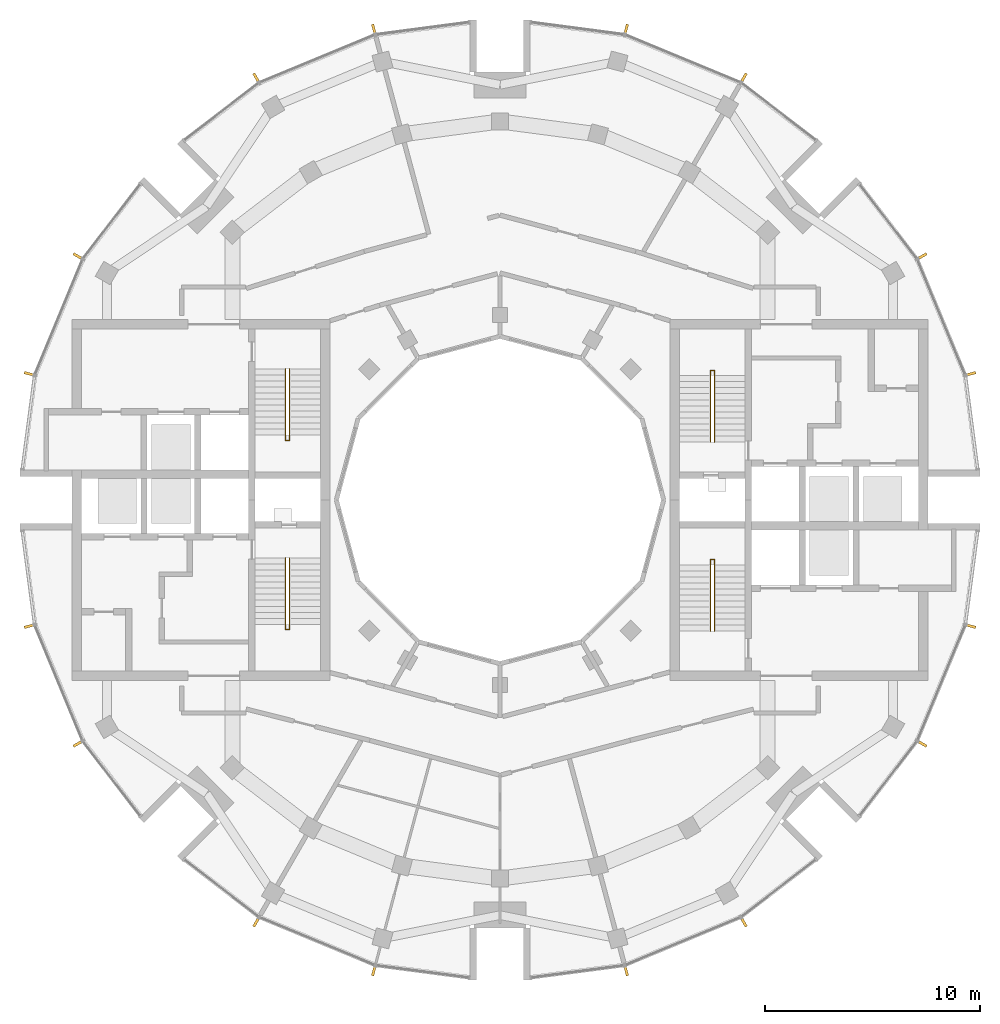
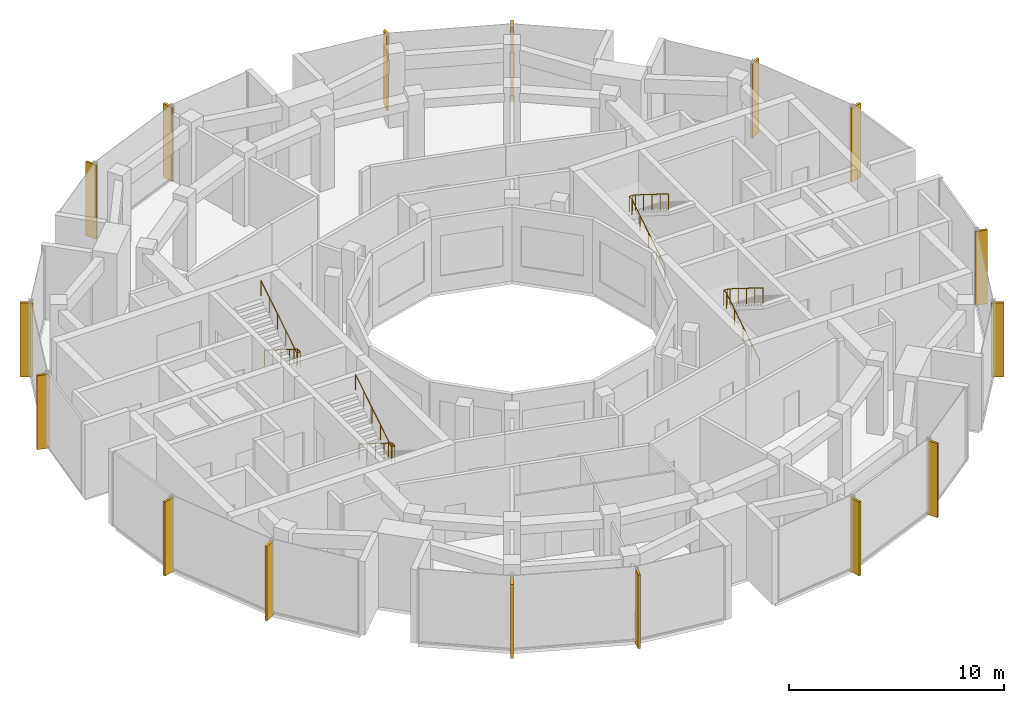
# One storey, part 12 of 13: 16 shading devices, 4 railings.
"""IFC4 building model written with IfcOpenShell, lengths in metres."""

from ifc_helpers import new_model, si_unit, direction, frame, origin, origin_2d, place, context, subcontext, project, spatial, rectangle, circle, extrude, material, material_profile, profile_set, type_object, element, save


model = new_model("IFC4")

# Units and contexts
model_context = context("Model", 3, precision=1e-05, world=origin(), true_north=direction((0.0, 1.0)))
body_context = subcontext(model_context, "Body", "Model", "MODEL_VIEW")
ifc_project = project(units=[si_unit("LENGTHUNIT", "METRE"), si_unit("AREAUNIT", "SQUARE_METRE"), si_unit("VOLUMEUNIT", "CUBIC_METRE"), si_unit("PLANEANGLEUNIT", "RADIAN"), si_unit("MASSUNIT", "GRAM", prefix="KILO")], contexts=[model_context])

# Site, building, storey
site_placement = place(None, origin())
site = spatial("IfcSite", under=ifc_project, at=site_placement, CompositionType="ELEMENT")
building_placement = place(site_placement, origin())
building = spatial("IfcBuilding", under=site, at=building_placement, Name="Torre Brocal", CompositionType="ELEMENT")
storey_placement = place(building_placement, frame((0.0, 0.0, 300.89990234375)))
storey = spatial("IfcBuildingStorey", under=building, at=storey_placement, Name="L69", CompositionType="ELEMENT", Elevation=300.89990234375)

# Shading devices
ifc_material_1 = material(Name="Aluminium, black anodised", Category="aluminium")
ifc_material_profile = material_profile(ifc_material_1, rectangle(XDim=0.1201171875, YDim=0.60009765625, at=origin_2d()), Name="FIN 120X600 4200 HIGH")
ifc_profile_set = profile_set([ifc_material_profile], Name="Aluminium, black anodised")
shading_device_type = type_object("IfcShadingDeviceType", Name="FIN 120X600 4200 HIGH", PredefinedType="USERDEFINED", material=ifc_profile_set)
for number, where, z_axis, x_axis, name in (
    (1, (101.828369140625, 80.848876953125, -0.14990234375), (0.0, 0.0, 1.0), (-0.258819045103, 0.965925826289, 0.0), "FIN"),
    (2, (99.57080078125, 86.299072265625, -0.14990234375), (0.0, 0.0, 1.0), (-0.5, 0.866025403784, 0.0), "FIN"),
    (3, (91.299072265625, 94.57080078125, -0.14990234375), (0.0, 0.0, 1.0), (-0.866025403784, 0.5, 0.0), "FIN"),
    (4, (85.848876953125, 96.828369140625, -0.14990234375), (0.0, 0.0, 1.0), (-0.965925826289, 0.258819045103, 0.0), "FIN"),
    (5, (74.151123046875, 96.828369140625, -0.14990234375), (0.0, 0.0, 1.0), (-0.965925826289, -0.258819045103, 0.0), "FIN"),
    (6, (68.700927734375, 94.57080078125, -0.14990234375), (0.0, 0.0, 1.0), (-0.866025403784, -0.5, 0.0), "FIN"),
    (7, (60.42919921875, 86.299072265625, -0.14990234375), (0.0, 0.0, 1.0), (-0.5, -0.866025403784, 0.0), "FIN"),
    (8, (58.171630859375, 80.848876953125, -0.14990234375), (0.0, 0.0, 1.0), (-0.258819045103, -0.965925826289, 0.0), "FIN"),
    (9, (58.171630859375, 69.151123046875, -0.14990234375), (0.0, 0.0, 1.0), (0.258819045103, -0.965925826289, 0.0), "FIN"),
    (10, (60.42919921875, 63.700927734375, -0.14990234375), (0.0, 0.0, 1.0), (0.5, -0.866025403784, 0.0), "FIN"),
    (11, (68.700927734375, 55.42919921875, -0.14990234375), (0.0, 0.0, 1.0), (0.866025403784, -0.5, 0.0), "FIN"),
    (12, (74.151123046875, 53.171630859375, -0.14990234375), (0.0, 0.0, 1.0), (0.965925826289, -0.258819045103, 0.0), "FIN"),
    (13, (85.848876953125, 53.171630859375, -0.14990234375), (0.0, 0.0, 1.0), (0.965925826289, 0.258819045103, 0.0), "FIN"),
    (14, (91.299072265625, 55.42919921875, -0.14990234375), (0.0, 0.0, 1.0), (0.866025403784, 0.5, 0.0), "FIN"),
    (15, (99.57080078125, 63.700927734375, -0.14990234375), (0.0, 0.0, 1.0), (0.5, 0.866025403784, 0.0), "FIN"),
    (16, (101.828369140625, 69.151123046875, -0.14990234375), (0.0, 0.0, 1.0), (0.258819045103, 0.965925826289, 0.0), "FIN"),
):
    element("IfcShadingDevice", number, at=place(storey_placement, frame(where, z_axis=z_axis, x_axis=x_axis)), inside=storey, type_object=shading_device_type, Name=name, ObjectType="FIN", PredefinedType="USERDEFINED", context=body_context, shape_type="SweptSolid", body=[
        extrude(rectangle(XDim=0.1201171875, YDim=0.60009765625, at=origin_2d()), origin(), (0.0, 0.0, 1.0), 4.199951171875),
    ])

# Railings
ifc_material_2 = material(Name="Stainless steel AISI 316", Category="steel")
railing_type = type_object("IfcRailingType", Name="STAIR HANDRAIL", PredefinedType="HANDRAIL", material=ifc_material_2)
railing_1_placement = place(storey_placement, frame((89.780029296875, 77.699951171875, 0.175048828125)))
element("IfcRailing", 17, at=railing_1_placement, inside=storey, type_object=railing_type, Name="HANDRAIL ST1", PredefinedType="HANDRAIL", context=body_context, shape_type="SweptSolid", body=[
    extrude(circle(Radius=0.02392578125, at=origin_2d()), frame((0.0, 0.0, 0.8759765625), z_axis=(0.0, 0.847998304005, 0.529998940003), x_axis=(-1.0, 0.0, 0.0)), (0.0, 0.0, 1.0), 3.632080078125),
    extrude(circle(Radius=0.02392578125, at=origin_2d()), frame((0.0, 3.080078125, 2.80078125), z_axis=(0.0, 1.0, 0.0), x_axis=(-1.0, 0.0, 0.0)), (0.0, 0.0, 1.0), 0.25),
    extrude(circle(Radius=0.02392578125, at=origin_2d()), frame((0.0, 3.330078125, 2.80078125), z_axis=(1.0, 0.0, 0.0), x_axis=(0.0, 1.0, 0.0)), (0.0, 0.0, 1.0), 0.18994140625),
    extrude(circle(Radius=0.02392578125, at=origin_2d()), frame((0.18994140625, 3.330078125, 2.80078125), z_axis=(0.0, -0.819156749665, 0.573569716318), x_axis=(1.0, 0.0, 0.0)), (0.0, 0.0, 1.0), 0.30517578125),
    extrude(circle(Radius=0.02392578125, at=origin_2d()), frame((0.18994140625, 3.080078125, 2.97607421875), z_axis=(0.0, -0.847998304005, 0.529998940003), x_axis=(1.0, 0.0, 0.0)), (0.0, 0.0, 1.0), 3.632080078125),
    extrude(circle(Radius=0.02099609375, at=origin_2d()), origin(), (0.0, 0.0, 1.0), 0.851806640625),
    extrude(circle(Radius=0.02099609375, at=origin_2d()), frame((0.0, 0.77001953125, 0.481201171875)), (0.0, 0.0, 1.0), 0.851806640625),
    extrude(circle(Radius=0.02099609375, at=origin_2d()), frame((0.0, 1.5400390625, 0.96240234375)), (0.0, 0.0, 1.0), 0.851806640625),
    extrude(circle(Radius=0.02099609375, at=origin_2d()), frame((0.0, 2.31005859375, 1.44384765625)), (0.0, 0.0, 1.0), 0.851806640625),
    extrude(circle(Radius=0.02099609375, at=origin_2d()), frame((0.0, 3.080078125, 1.925048828125)), (0.0, 0.0, 1.0), 0.851806640625),
    extrude(circle(Radius=0.02099609375, at=origin_2d()), frame((0.0, 3.330078125, 1.925048828125)), (0.0, 0.0, 1.0), 0.851806640625),
    extrude(circle(Radius=0.02099609375, at=origin_2d()), frame((0.18994140625, 3.330078125, 1.925048828125)), (0.0, 0.0, 1.0), 0.851806640625),
    extrude(circle(Radius=0.02099609375, at=origin_2d()), frame((0.18994140625, 3.080078125, 2.10009765625)), (0.0, 0.0, 1.0), 0.851806640625),
    extrude(circle(Radius=0.02099609375, at=origin_2d()), frame((0.18994140625, 2.31005859375, 2.581298828125)), (0.0, 0.0, 1.0), 0.851806640625),
    extrude(circle(Radius=0.02099609375, at=origin_2d()), frame((0.18994140625, 1.5400390625, 3.0625)), (0.0, 0.0, 1.0), 0.851806640625),
    extrude(circle(Radius=0.02099609375, at=origin_2d()), frame((0.18994140625, 0.77001953125, 3.5439453125)), (0.0, 0.0, 1.0), 0.851806640625),
    extrude(circle(Radius=0.02099609375, at=origin_2d()), frame((0.18994140625, 0.0, 4.025146484375)), (0.0, 0.0, 1.0), 0.851806640625),
])
railing_2_placement = place(storey_placement, frame((89.780029296875, 68.89990234375, 0.175048828125)))
element("IfcRailing", 18, at=railing_2_placement, inside=storey, type_object=railing_type, Name="HANDRAIL ST2", PredefinedType="HANDRAIL", context=body_context, shape_type="SweptSolid", body=[
    extrude(circle(Radius=0.02392578125, at=origin_2d()), frame((0.0, 0.0, 0.8759765625), z_axis=(0.0, 0.847998304005, 0.529998940003), x_axis=(-1.0, 0.0, 0.0)), (0.0, 0.0, 1.0), 3.632080078125),
    extrude(circle(Radius=0.02392578125, at=origin_2d()), frame((0.0, 3.080078125, 2.80078125), z_axis=(0.0, 1.0, 0.0), x_axis=(-1.0, 0.0, 0.0)), (0.0, 0.0, 1.0), 0.25),
    extrude(circle(Radius=0.02392578125, at=origin_2d()), frame((0.0, 3.330078125, 2.80078125), z_axis=(1.0, 0.0, 0.0), x_axis=(0.0, 1.0, 0.0)), (0.0, 0.0, 1.0), 0.18994140625),
    extrude(circle(Radius=0.02392578125, at=origin_2d()), frame((0.18994140625, 3.330078125, 2.80078125), z_axis=(0.0, -0.819156749665, 0.573569716318), x_axis=(1.0, 0.0, 0.0)), (0.0, 0.0, 1.0), 0.30517578125),
    extrude(circle(Radius=0.02392578125, at=origin_2d()), frame((0.18994140625, 3.080078125, 2.97607421875), z_axis=(0.0, -0.847998304005, 0.529998940003), x_axis=(1.0, 0.0, 0.0)), (0.0, 0.0, 1.0), 3.632080078125),
    extrude(circle(Radius=0.02099609375, at=origin_2d()), origin(), (0.0, 0.0, 1.0), 0.851806640625),
    extrude(circle(Radius=0.02099609375, at=origin_2d()), frame((0.0, 0.77001953125, 0.481201171875)), (0.0, 0.0, 1.0), 0.851806640625),
    extrude(circle(Radius=0.02099609375, at=origin_2d()), frame((0.0, 1.5400390625, 0.96240234375)), (0.0, 0.0, 1.0), 0.851806640625),
    extrude(circle(Radius=0.02099609375, at=origin_2d()), frame((0.0, 2.31005859375, 1.44384765625)), (0.0, 0.0, 1.0), 0.851806640625),
    extrude(circle(Radius=0.02099609375, at=origin_2d()), frame((0.0, 3.080078125, 1.925048828125)), (0.0, 0.0, 1.0), 0.851806640625),
    extrude(circle(Radius=0.02099609375, at=origin_2d()), frame((0.0, 3.330078125, 1.925048828125)), (0.0, 0.0, 1.0), 0.851806640625),
    extrude(circle(Radius=0.02099609375, at=origin_2d()), frame((0.18994140625, 3.330078125, 1.925048828125)), (0.0, 0.0, 1.0), 0.851806640625),
    extrude(circle(Radius=0.02099609375, at=origin_2d()), frame((0.18994140625, 3.080078125, 2.10009765625)), (0.0, 0.0, 1.0), 0.851806640625),
    extrude(circle(Radius=0.02099609375, at=origin_2d()), frame((0.18994140625, 2.31005859375, 2.581298828125)), (0.0, 0.0, 1.0), 0.851806640625),
    extrude(circle(Radius=0.02099609375, at=origin_2d()), frame((0.18994140625, 1.5400390625, 3.0625)), (0.0, 0.0, 1.0), 0.851806640625),
    extrude(circle(Radius=0.02099609375, at=origin_2d()), frame((0.18994140625, 0.77001953125, 3.5439453125)), (0.0, 0.0, 1.0), 0.851806640625),
    extrude(circle(Radius=0.02099609375, at=origin_2d()), frame((0.18994140625, 0.0, 4.025146484375)), (0.0, 0.0, 1.0), 0.851806640625),
])
railing_3_placement = place(storey_placement, frame((70.219970703125, 72.300048828125, 0.175048828125)))
element("IfcRailing", 19, at=railing_3_placement, inside=storey, type_object=railing_type, Name="HANDRAIL ST3", PredefinedType="HANDRAIL", context=body_context, shape_type="SweptSolid", body=[
    extrude(circle(Radius=0.02392578125, at=origin_2d()), frame((0.0, 0.0, 0.8759765625), z_axis=(0.0, -0.847998304005, 0.529998940003), x_axis=(1.0, 0.0, 0.0)), (0.0, 0.0, 1.0), 3.632080078125),
    extrude(circle(Radius=0.02392578125, at=origin_2d()), frame((0.0, -3.080078125, 2.80078125), z_axis=(0.0, -1.0, 0.0), x_axis=(1.0, 0.0, 0.0)), (0.0, 0.0, 1.0), 0.25),
    extrude(circle(Radius=0.02392578125, at=origin_2d()), frame((0.0, -3.330078125, 2.80078125), z_axis=(-1.0, 0.0, 0.0), x_axis=(0.0, -1.0, 0.0)), (0.0, 0.0, 1.0), 0.18994140625),
    extrude(circle(Radius=0.02392578125, at=origin_2d()), frame((-0.18994140625, -3.330078125, 2.80078125), z_axis=(0.0, 0.819156749665, 0.573569716318), x_axis=(-1.0, 0.0, 0.0)), (0.0, 0.0, 1.0), 0.30517578125),
    extrude(circle(Radius=0.02392578125, at=origin_2d()), frame((-0.18994140625, -3.080078125, 2.97607421875), z_axis=(0.0, 0.847998304005, 0.529998940003), x_axis=(-1.0, 0.0, 0.0)), (0.0, 0.0, 1.0), 3.632080078125),
    extrude(circle(Radius=0.02099609375, at=origin_2d()), origin(), (0.0, 0.0, 1.0), 0.851806640625),
    extrude(circle(Radius=0.02099609375, at=origin_2d()), frame((0.0, -0.77001953125, 0.481201171875)), (0.0, 0.0, 1.0), 0.851806640625),
    extrude(circle(Radius=0.02099609375, at=origin_2d()), frame((0.0, -1.5400390625, 0.96240234375)), (0.0, 0.0, 1.0), 0.851806640625),
    extrude(circle(Radius=0.02099609375, at=origin_2d()), frame((0.0, -2.31005859375, 1.44384765625)), (0.0, 0.0, 1.0), 0.851806640625),
    extrude(circle(Radius=0.02099609375, at=origin_2d()), frame((0.0, -3.080078125, 1.925048828125)), (0.0, 0.0, 1.0), 0.851806640625),
    extrude(circle(Radius=0.02099609375, at=origin_2d()), frame((0.0, -3.330078125, 1.925048828125)), (0.0, 0.0, 1.0), 0.851806640625),
    extrude(circle(Radius=0.02099609375, at=origin_2d()), frame((-0.18994140625, -3.330078125, 1.925048828125)), (0.0, 0.0, 1.0), 0.851806640625),
    extrude(circle(Radius=0.02099609375, at=origin_2d()), frame((-0.18994140625, -3.080078125, 2.10009765625)), (0.0, 0.0, 1.0), 0.851806640625),
    extrude(circle(Radius=0.02099609375, at=origin_2d()), frame((-0.18994140625, -2.31005859375, 2.581298828125)), (0.0, 0.0, 1.0), 0.851806640625),
    extrude(circle(Radius=0.02099609375, at=origin_2d()), frame((-0.18994140625, -1.5400390625, 3.0625)), (0.0, 0.0, 1.0), 0.851806640625),
    extrude(circle(Radius=0.02099609375, at=origin_2d()), frame((-0.18994140625, -0.77001953125, 3.5439453125)), (0.0, 0.0, 1.0), 0.851806640625),
    extrude(circle(Radius=0.02099609375, at=origin_2d()), frame((-0.18994140625, 0.0, 4.025146484375)), (0.0, 0.0, 1.0), 0.851806640625),
])
railing_4_placement = place(storey_placement, frame((70.219970703125, 81.10009765625, 0.175048828125)))
element("IfcRailing", 20, at=railing_4_placement, inside=storey, type_object=railing_type, Name="HANDRAIL ST4", PredefinedType="HANDRAIL", context=body_context, shape_type="SweptSolid", body=[
    extrude(circle(Radius=0.02392578125, at=origin_2d()), frame((0.0, 0.0, 0.8759765625), z_axis=(0.0, -0.847998304005, 0.529998940003), x_axis=(1.0, 0.0, 0.0)), (0.0, 0.0, 1.0), 3.632080078125),
    extrude(circle(Radius=0.02392578125, at=origin_2d()), frame((0.0, -3.080078125, 2.80078125), z_axis=(0.0, -1.0, 0.0), x_axis=(1.0, 0.0, 0.0)), (0.0, 0.0, 1.0), 0.25),
    extrude(circle(Radius=0.02392578125, at=origin_2d()), frame((0.0, -3.330078125, 2.80078125), z_axis=(-1.0, 0.0, 0.0), x_axis=(0.0, -1.0, 0.0)), (0.0, 0.0, 1.0), 0.18994140625),
    extrude(circle(Radius=0.02392578125, at=origin_2d()), frame((-0.18994140625, -3.330078125, 2.80078125), z_axis=(0.0, 0.819156749665, 0.573569716318), x_axis=(-1.0, 0.0, 0.0)), (0.0, 0.0, 1.0), 0.30517578125),
    extrude(circle(Radius=0.02392578125, at=origin_2d()), frame((-0.18994140625, -3.080078125, 2.97607421875), z_axis=(0.0, 0.847998304005, 0.529998940003), x_axis=(-1.0, 0.0, 0.0)), (0.0, 0.0, 1.0), 3.632080078125),
    extrude(circle(Radius=0.02099609375, at=origin_2d()), origin(), (0.0, 0.0, 1.0), 0.851806640625),
    extrude(circle(Radius=0.02099609375, at=origin_2d()), frame((0.0, -0.77001953125, 0.481201171875)), (0.0, 0.0, 1.0), 0.851806640625),
    extrude(circle(Radius=0.02099609375, at=origin_2d()), frame((0.0, -1.5400390625, 0.96240234375)), (0.0, 0.0, 1.0), 0.851806640625),
    extrude(circle(Radius=0.02099609375, at=origin_2d()), frame((0.0, -2.31005859375, 1.44384765625)), (0.0, 0.0, 1.0), 0.851806640625),
    extrude(circle(Radius=0.02099609375, at=origin_2d()), frame((0.0, -3.080078125, 1.925048828125)), (0.0, 0.0, 1.0), 0.851806640625),
    extrude(circle(Radius=0.02099609375, at=origin_2d()), frame((0.0, -3.330078125, 1.925048828125)), (0.0, 0.0, 1.0), 0.851806640625),
    extrude(circle(Radius=0.02099609375, at=origin_2d()), frame((-0.18994140625, -3.330078125, 1.925048828125)), (0.0, 0.0, 1.0), 0.851806640625),
    extrude(circle(Radius=0.02099609375, at=origin_2d()), frame((-0.18994140625, -3.080078125, 2.10009765625)), (0.0, 0.0, 1.0), 0.851806640625),
    extrude(circle(Radius=0.02099609375, at=origin_2d()), frame((-0.18994140625, -2.31005859375, 2.581298828125)), (0.0, 0.0, 1.0), 0.851806640625),
    extrude(circle(Radius=0.02099609375, at=origin_2d()), frame((-0.18994140625, -1.5400390625, 3.0625)), (0.0, 0.0, 1.0), 0.851806640625),
    extrude(circle(Radius=0.02099609375, at=origin_2d()), frame((-0.18994140625, -0.77001953125, 3.5439453125)), (0.0, 0.0, 1.0), 0.851806640625),
    extrude(circle(Radius=0.02099609375, at=origin_2d()), frame((-0.18994140625, 0.0, 4.025146484375)), (0.0, 0.0, 1.0), 0.851806640625),
])

save(model, "model.ifc")
